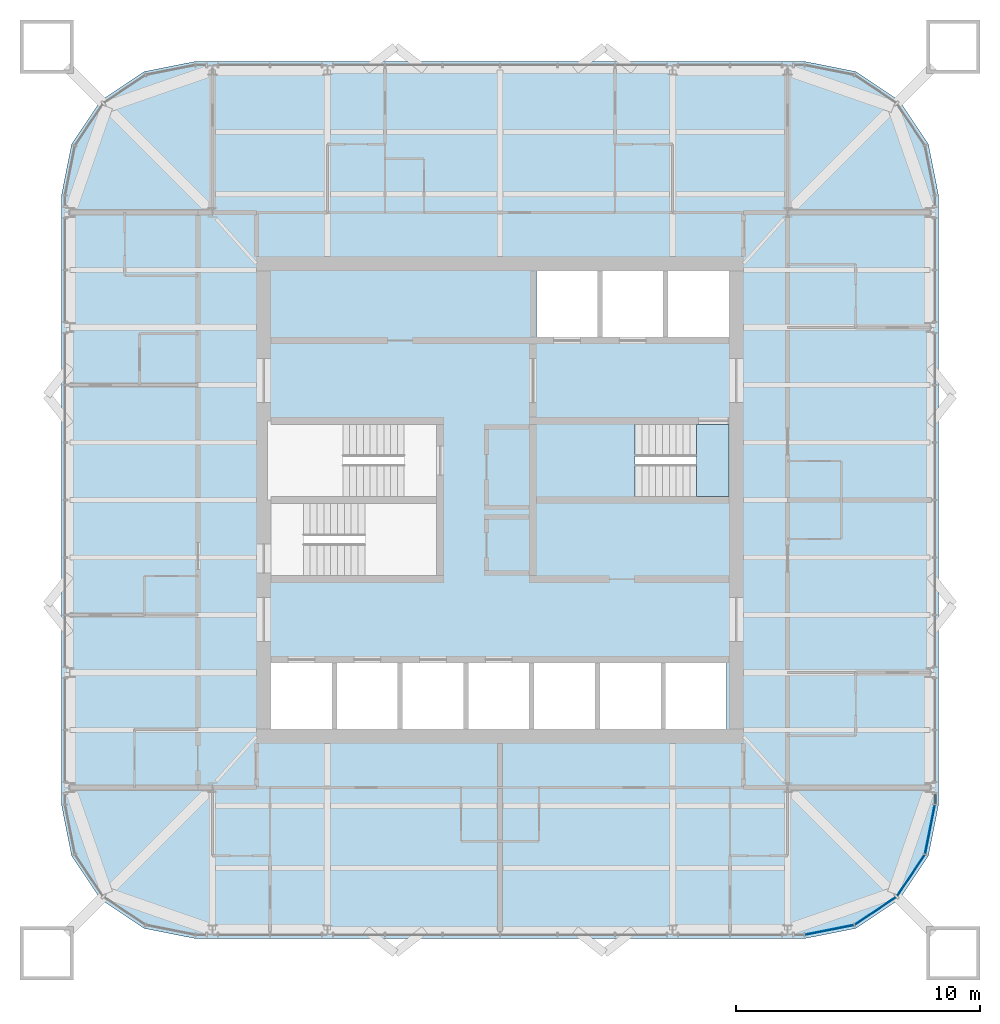
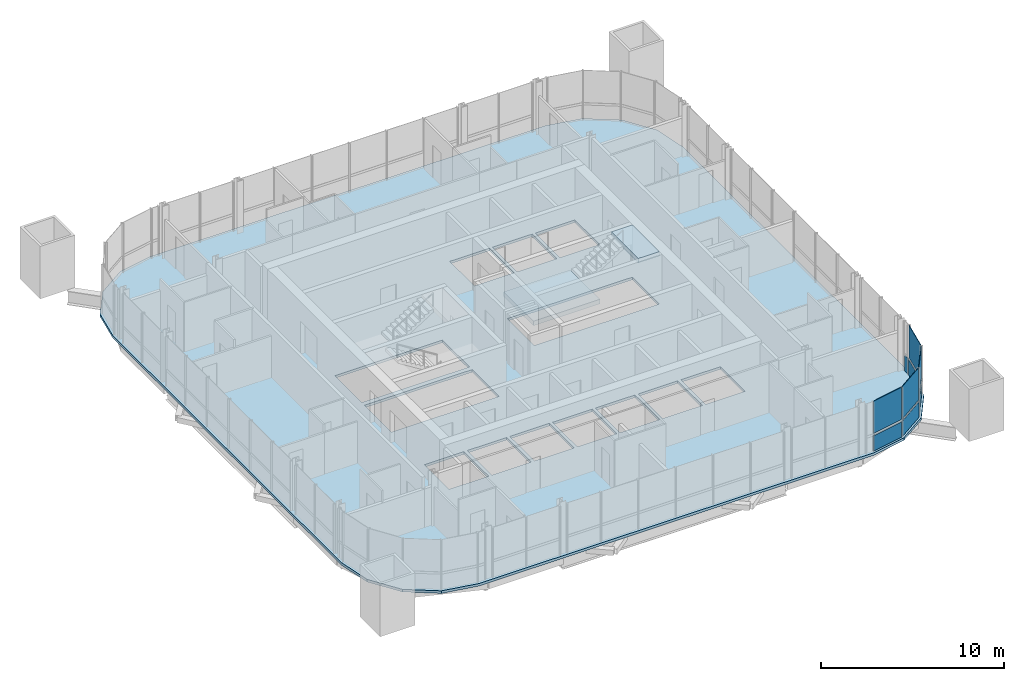
# One storey, part 10 of 17: 9 plates, 3 slabs, 3 elements without a shape of their own.
"""IFC4 building model written with IfcOpenShell, lengths in metres."""

from ifc_helpers import new_model, si_unit, direction, frame, origin, origin_2d, place, context, subcontext, project, spatial, polyline, rectangle, outline, extrude, material, layer, layer_set, type_object, element, aggregate, save


model = new_model("IFC4")

# Units and contexts
model_context = context("Model", 3, precision=1e-05, world=origin(), true_north=direction((0.0, 1.0)))
body_context = subcontext(model_context, "Body", "Model", "MODEL_VIEW")
ifc_project = project(units=[si_unit("LENGTHUNIT", "METRE"), si_unit("AREAUNIT", "SQUARE_METRE"), si_unit("VOLUMEUNIT", "CUBIC_METRE"), si_unit("PLANEANGLEUNIT", "RADIAN"), si_unit("MASSUNIT", "GRAM", prefix="KILO")], contexts=[model_context])

# Site, building, storey
site_placement = place(None, origin())
site = spatial("IfcSite", under=ifc_project, at=site_placement, CompositionType="ELEMENT")
building_placement = place(site_placement, origin())
building = spatial("IfcBuilding", under=site, at=building_placement, Name="Turquesa Mirador Hotel Tower", CompositionType="ELEMENT")
storey_placement = place(building_placement, frame((0.0, 0.0, 244.199951171875)))
storey = spatial("IfcBuildingStorey", under=building, at=storey_placement, Name="L66", CompositionType="ELEMENT", Elevation=244.199951171875)

# Slab
ifc_material_1 = material(Name="Concrete C28/35", Category="concrete")
ifc_layer_1 = layer(ifc_material_1, 0.169921875)
ifc_layer_set_1 = layer_set([ifc_layer_1], Name="COMPOSITE FLOOR SLAB 170")
slab_type_1 = type_object("IfcSlabType", Name="COMPOSITE FLOOR SLAB 170", PredefinedType="FLOOR", material=ifc_layer_set_1)
slab_1_placement = place(storey_placement, frame((0.0, 0.0, -0.169921875)))
element("IfcSlab", 1, at=slab_1_placement, inside=storey, type_object=slab_type_1, Name="Floor slab L66", PredefinedType="FLOOR", context=body_context, shape_type="SweptSolid", body=[
    extrude(outline(polyline([(67.5, 27.0), (69.604736328125, 27.418701171875), (71.38916015625, 28.61083984375), (72.581298828125, 30.395263671875), (73.0, 32.5), (73.0, 57.5), (72.581298828125, 59.604736328125), (71.38916015625, 61.38916015625), (69.604736328125, 62.581298828125), (67.5, 63.0), (42.5, 63.0), (40.395263671875, 62.581298828125), (38.61083984375, 61.38916015625), (37.418701171875, 59.604736328125), (37.0, 57.5), (37.0, 32.5), (37.418701171875, 30.395263671875), (38.61083984375, 28.61083984375), (40.395263671875, 27.418701171875), (42.5, 27.0), (67.5, 27.0)]), holes=[polyline([(56.5, 51.699951171875), (59.0, 51.699951171875), (59.0, 54.39990234375), (56.5, 54.39990234375), (56.5, 51.699951171875)]), polyline([(59.199951171875, 51.699951171875), (61.699951171875, 51.699951171875), (61.699951171875, 54.39990234375), (59.199951171875, 54.39990234375), (59.199951171875, 51.699951171875)]), polyline([(45.60009765625, 35.60009765625), (48.10009765625, 35.60009765625), (48.10009765625, 38.300048828125), (45.60009765625, 38.300048828125), (45.60009765625, 35.60009765625)]), polyline([(48.300048828125, 35.60009765625), (50.800048828125, 35.60009765625), (50.800048828125, 38.300048828125), (48.300048828125, 38.300048828125), (48.300048828125, 35.60009765625)]), polyline([(51.0, 35.60009765625), (53.5, 35.60009765625), (53.5, 38.300048828125), (51.0, 38.300048828125), (51.0, 35.60009765625)]), polyline([(53.699951171875, 35.60009765625), (56.199951171875, 35.60009765625), (56.199951171875, 38.300048828125), (53.699951171875, 38.300048828125), (53.699951171875, 35.60009765625)]), polyline([(56.39990234375, 35.60009765625), (58.89990234375, 35.60009765625), (58.89990234375, 38.300048828125), (56.39990234375, 38.300048828125), (56.39990234375, 35.60009765625)]), polyline([(59.10009765625, 35.60009765625), (61.60009765625, 35.60009765625), (61.60009765625, 38.300048828125), (59.10009765625, 38.300048828125), (59.10009765625, 35.60009765625)]), polyline([(61.800048828125, 35.60009765625), (64.300048828125, 35.60009765625), (64.300048828125, 38.300048828125), (61.800048828125, 38.300048828125), (61.800048828125, 35.60009765625)]), polyline([(45.60009765625, 45.14990234375), (52.39990234375, 45.14990234375), (52.39990234375, 48.10009765625), (45.60009765625, 48.10009765625), (45.60009765625, 45.14990234375)]), polyline([(45.60009765625, 41.89990234375), (52.39990234375, 41.89990234375), (52.39990234375, 44.85009765625), (45.60009765625, 44.85009765625), (45.60009765625, 41.89990234375)]), polyline([(56.5, 45.14990234375), (64.39990234375, 45.14990234375), (64.39990234375, 48.10009765625), (56.5, 48.10009765625), (56.5, 45.14990234375)]), polyline([(61.89990234375, 51.699951171875), (64.39990234375, 51.699951171875), (64.39990234375, 54.39990234375), (61.89990234375, 54.39990234375), (61.89990234375, 51.699951171875)])]), origin(), (0.0, 0.0, 1.0), 0.169921875),
])

# Curtain wall, plates
ifc_material_2 = material(Name="Aluminium extrusion", Category="aluminium")
curtain_wall_type = type_object("IfcCurtainWallType", Name="CW-4 SUITE FRITTED CURTAIN WALL", PredefinedType="USERDEFINED", material=ifc_material_2)
curtain_wall_1_placement = place(storey_placement, origin())
curtain_wall_1 = element("IfcCurtainWall", 2, at=curtain_wall_1_placement, inside=storey, type_object=curtain_wall_type, Name="CW-4 SUITE FRITTED CURTAIN WALL L66", ObjectType="CURTAIN WALL", PredefinedType="USERDEFINED")
ifc_material_3 = material(Name="Ceramic-printed spandrel glass on an insulated back pan", Category="glass")
ifc_layer_2 = layer(ifc_material_3, 0.050048828125)
ifc_layer_set_2 = layer_set([ifc_layer_2], Name="CW PANEL SPANDREL CERAMIC")
plate_type_1 = type_object("IfcPlateType", Name="CW PANEL SPANDREL CERAMIC", PredefinedType="CURTAIN_PANEL", material=ifc_layer_set_2)
plate_1_placement = place(storey_placement, frame((68.523681640625, 27.353515625, 0.0), z_axis=(0.0, 0.0, 1.0), x_axis=(0.980785228048, 0.195090585221, 0.0)))
plate_1 = element("IfcPlate", 3, at=plate_1_placement, type_object=plate_type_1, Name="Panel", PredefinedType="CURTAIN_PANEL", context=body_context, shape_type="SweptSolid", body=[
    extrude(rectangle(XDim=2.0224609375, YDim=0.050048828125, at=origin_2d()), origin(), (0.0, 0.0, 1.0), 1.02490234375),
])
plate_2_placement = place(storey_placement, frame((70.415283203125, 28.13720703125, 0.0), z_axis=(0.0, 0.0, 1.0), x_axis=(0.831469673284, 0.555570141754, 0.0)))
plate_2 = element("IfcPlate", 4, at=plate_2_placement, type_object=plate_type_1, Name="Panel", PredefinedType="CURTAIN_PANEL", context=body_context, shape_type="SweptSolid", body=[
    extrude(rectangle(XDim=2.0224609375, YDim=0.050048828125, at=origin_2d()), origin(), (0.0, 0.0, 1.0), 1.02490234375),
])
plate_3_placement = place(storey_placement, frame((71.86279296875, 29.584716796875, 0.0), z_axis=(0.0, 0.0, 1.0), x_axis=(0.555570141754, 0.831469673284, 0.0)))
plate_3 = element("IfcPlate", 5, at=plate_3_placement, type_object=plate_type_1, Name="Panel", PredefinedType="CURTAIN_PANEL", context=body_context, shape_type="SweptSolid", body=[
    extrude(rectangle(XDim=2.0224609375, YDim=0.050048828125, at=origin_2d()), origin(), (0.0, 0.0, 1.0), 1.02490234375),
])
plate_4_placement = place(storey_placement, frame((72.646484375, 31.476318359375, 0.0), z_axis=(0.0, 0.0, 1.0), x_axis=(0.195090585221, 0.980785228048, 0.0)))
plate_4 = element("IfcPlate", 6, at=plate_4_placement, type_object=plate_type_1, Name="Panel", PredefinedType="CURTAIN_PANEL", context=body_context, shape_type="SweptSolid", body=[
    extrude(rectangle(XDim=2.0224609375, YDim=0.050048828125, at=origin_2d()), origin(), (0.0, 0.0, 1.0), 1.02490234375),
])

# Curtain wall, plate
curtain_wall_2_placement = place(storey_placement, origin())
curtain_wall_2 = element("IfcCurtainWall", 7, at=curtain_wall_2_placement, inside=storey, type_object=curtain_wall_type, Name="CW-4 SUITE FRITTED CURTAIN WALL L66", ObjectType="CURTAIN WALL", PredefinedType="USERDEFINED")
plate_5_placement = place(storey_placement, frame((72.85009765625, 32.733154296875, 0.0), z_axis=(0.0, 0.0, 1.0), x_axis=(0.0, 1.0, 0.0)))
plate_5 = element("IfcPlate", 8, at=plate_5_placement, type_object=plate_type_1, Name="Panel", PredefinedType="CURTAIN_PANEL", context=body_context, shape_type="SweptSolid", body=[
    extrude(rectangle(XDim=0.401123046875, YDim=0.050048828125, at=origin_2d()), origin(), (0.0, 0.0, 1.0), 1.02490234375),
])
aggregate(curtain_wall_2, [plate_5])

# Plate
ifc_material_4 = material(Name="Ceramic-fritted laminated glass", Category="glass")
ifc_layer_3 = layer(ifc_material_4, 0.031982421875)
ifc_layer_set_3 = layer_set([ifc_layer_3], Name="CW PANEL VISION FRITTED")
plate_type_2 = type_object("IfcPlateType", Name="CW PANEL VISION FRITTED", PredefinedType="CURTAIN_PANEL", material=ifc_layer_set_3)
plate_6_placement = place(storey_placement, frame((68.523681640625, 27.353515625, 1.1748046875), z_axis=(0.0, 0.0, 1.0), x_axis=(0.980785228048, 0.195090585221, 0.0)))
plate_6 = element("IfcPlate", 9, at=plate_6_placement, type_object=plate_type_2, Name="Panel", PredefinedType="CURTAIN_PANEL", context=body_context, shape_type="SweptSolid", body=[
    extrude(rectangle(XDim=2.0224609375, YDim=0.031982421875, at=origin_2d()), origin(), (0.0, 0.0, 1.0), 2.155029296875),
])

plate_7_placement = place(storey_placement, frame((70.415283203125, 28.13720703125, 1.1748046875), z_axis=(0.0, 0.0, 1.0), x_axis=(0.831469673284, 0.555570141754, 0.0)))
plate_7 = element("IfcPlate", 10, at=plate_7_placement, type_object=plate_type_2, Name="Panel", PredefinedType="CURTAIN_PANEL", context=body_context, shape_type="SweptSolid", body=[
    extrude(rectangle(XDim=2.0224609375, YDim=0.031982421875, at=origin_2d()), origin(), (0.0, 0.0, 1.0), 2.155029296875),
])

plate_8_placement = place(storey_placement, frame((71.86279296875, 29.584716796875, 1.1748046875), z_axis=(0.0, 0.0, 1.0), x_axis=(0.555570141754, 0.831469673284, 0.0)))
plate_8 = element("IfcPlate", 11, at=plate_8_placement, type_object=plate_type_2, Name="Panel", PredefinedType="CURTAIN_PANEL", context=body_context, shape_type="SweptSolid", body=[
    extrude(rectangle(XDim=2.0224609375, YDim=0.031982421875, at=origin_2d()), origin(), (0.0, 0.0, 1.0), 2.155029296875),
])

plate_9_placement = place(storey_placement, frame((72.646484375, 31.476318359375, 1.1748046875), z_axis=(0.0, 0.0, 1.0), x_axis=(0.195090585221, 0.980785228048, 0.0)))
plate_9 = element("IfcPlate", 12, at=plate_9_placement, type_object=plate_type_2, Name="Panel", PredefinedType="CURTAIN_PANEL", context=body_context, shape_type="SweptSolid", body=[
    extrude(rectangle(XDim=2.0224609375, YDim=0.031982421875, at=origin_2d()), origin(), (0.0, 0.0, 1.0), 2.155029296875),
])

aggregate(curtain_wall_1, [plate_1, plate_6, plate_2, plate_7, plate_3, plate_8, plate_4, plate_9])

# Stair, slabs
ifc_material_5 = material(Name="Concrete C35/45", Category="concrete")
stair_type = type_object("IfcStairType", Name="ESCAPE STAIR CORE", PredefinedType="HALF_TURN_STAIR", material=ifc_material_5)
stair_placement = place(storey_placement, origin())
stair = element("IfcStair", 13, at=stair_placement, inside=storey, type_object=stair_type, Name="Stair ST3 L66 to L67", PredefinedType="HALF_TURN_STAIR")
ifc_material_6 = material(Name="Concrete C35/45", Category="concrete")
ifc_layer_4 = layer(ifc_material_6, 0.300048828125)
ifc_layer_set_4 = layer_set([ifc_layer_4], Name="STAIR LANDING 300")
slab_type_2 = type_object("IfcSlabType", Name="STAIR LANDING 300", PredefinedType="LANDING", material=ifc_layer_set_4)
slab_2_placement = place(storey_placement, frame((0.0, 0.0, 1.449951171875)))
slab_2 = element("IfcSlab", 14, at=slab_2_placement, type_object=slab_type_2, Name="ST3 landing 1", PredefinedType="LANDING", context=body_context, shape_type="SweptSolid", body=[
    extrude(outline(polyline([(56.35009765625, 45.0), (60.550048828125, 45.0), (60.550048828125, 48.25), (56.35009765625, 48.25), (56.35009765625, 45.0)])), origin(), (0.0, 0.0, 1.0), 0.300048828125),
])
slab_3_placement = place(storey_placement, frame((0.0, 0.0, 3.199951171875)))
slab_3 = element("IfcSlab", 15, at=slab_3_placement, type_object=slab_type_2, Name="ST3 landing 2", PredefinedType="LANDING", context=body_context, shape_type="SweptSolid", body=[
    extrude(outline(polyline([(63.070068359375, 45.14990234375), (64.39990234375, 45.14990234375), (64.39990234375, 48.10009765625), (63.070068359375, 48.10009765625), (63.070068359375, 45.14990234375)])), origin(), (0.0, 0.0, 1.0), 0.300048828125),
])
aggregate(stair, [slab_2, slab_3])

save(model, "model.ifc")
